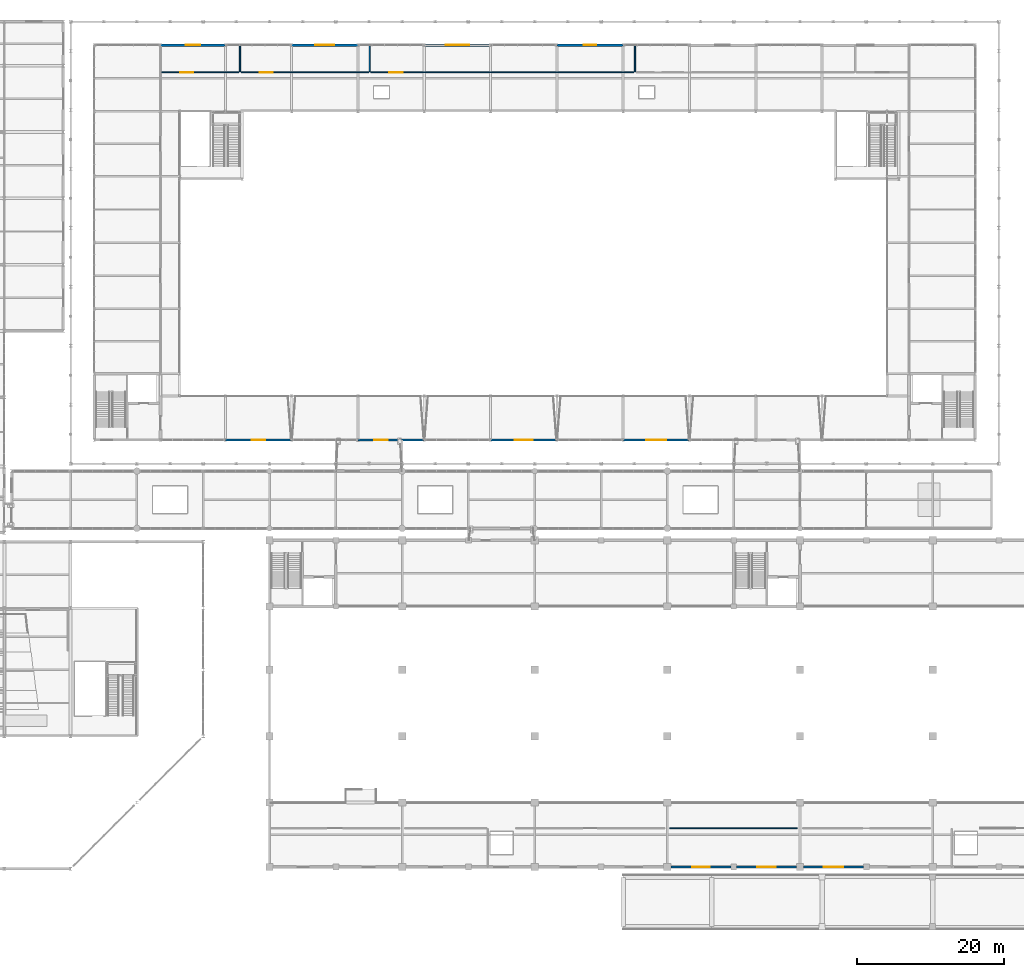
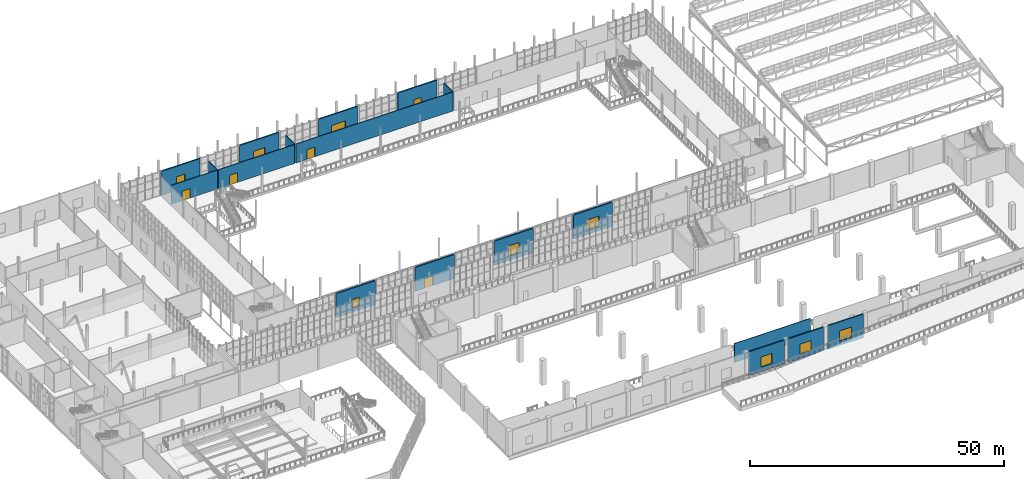
# One storey, part 125 of 159: 18 walls, 10 windows, 4 doors, 14 openings.
"""IFC4 building model written with IfcOpenShell, lengths in metres."""

from ifc_helpers import new_model, si_unit, direction, frame, frame_2d, origin, place, context, subcontext, project, spatial, rectangle, extrude, material, layer, layer_set, type_object, element, fill, save


model = new_model("IFC4")

# Units and contexts
model_context = context("Model", 3, precision=1e-05, world=origin(), true_north=direction((0.0, 1.0)))
body_context = subcontext(model_context, "Body", "Model", "MODEL_VIEW")
ifc_project = project(units=[si_unit("LENGTHUNIT", "METRE"), si_unit("AREAUNIT", "SQUARE_METRE"), si_unit("VOLUMEUNIT", "CUBIC_METRE"), si_unit("PLANEANGLEUNIT", "RADIAN"), si_unit("MASSUNIT", "GRAM", prefix="KILO")], contexts=[model_context])

# Site, building, storey
site_placement = place(None, origin())
site = spatial("IfcSite", under=ifc_project, at=site_placement, CompositionType="ELEMENT")
building_placement = place(site_placement, origin())
building = spatial("IfcBuilding", under=site, at=building_placement, Name="Cazmaro Siding Exhibition Halls", CompositionType="ELEMENT")
storey_placement = place(building_placement, frame((0.0, 0.0, 6.0)))
storey = spatial("IfcBuildingStorey", under=building, at=storey_placement, Name="L01", CompositionType="ELEMENT", Elevation=6.0)

# Wall, opening, window
ifc_material_1 = material(Name="Concrete f'c 45 MPa", Category="concrete")
ifc_layer_1 = layer(ifc_material_1, 0.320068359375)
ifc_layer_set_1 = layer_set([ifc_layer_1], Name="Concrete f'c 45 MPa")
wall_type_1 = type_object("IfcWallType", Name="EW-01", PredefinedType="STANDARD", material=ifc_layer_set_1)
wall_1_placement = place(storey_placement, frame((57.2119140625, 120.800048828125, 0.0), z_axis=(0.0, 0.0, 1.0), x_axis=(1.0, 0.0, 0.0)))
wall_1 = element("IfcWall", 1, at=wall_1_placement, inside=storey, type_object=wall_type_1, Name="Hall A North Gallery Wall EW-01 WL-E0005", PredefinedType="STANDARD", context=body_context, shape_type="SweptSolid", body=[
    extrude(rectangle(XDim=8.776123046875, YDim=0.320068359375, at=frame_2d((4.38818359375, 0.0))), origin(), (0.0, 0.0, 1.0), 5.780029296875),
])
opening_1_placement = place(wall_1_placement, frame((3.387939453125, 0.0, 1.10009765625)))
opening_1 = element("IfcOpeningElement", 2, at=opening_1_placement, cuts=wall_1, Name="Opening W-004", PredefinedType="OPENING", context=body_context, shape_type="SweptSolid", body=[
    extrude(rectangle(XDim=2.0, YDim=2.14990234375, at=frame_2d((1.0, 1.074951171875))), frame((0.0, 0.169921875, 0.0), z_axis=(0.0, -1.0, 0.0), x_axis=(1.0, 0.0, 0.0)), (0.0, 0.0, 1.0), 0.340087890625),
])
ifc_material_2 = material(Name="Thermally Broken Aluminum Low-E Window Unit", Category="aluminium")
window_type_1 = type_object("IfcWindowType", Name="WT-14", PartitioningType="SINGLE_PANEL", PredefinedType="WINDOW", material=ifc_material_2)
window_1_placement = place(opening_1_placement, origin())
window_1 = element("IfcWindow", 3, at=window_1_placement, inside=storey, type_object=window_type_1, Name="Window W-004 (WT-14)", OverallHeight=2.14990234375, OverallWidth=2.0, PartitioningType="SINGLE_PANEL", PredefinedType="WINDOW", context=body_context, shape_type="SweptSolid", body=[
    extrude(rectangle(XDim=2.0, YDim=2.14990234375, at=frame_2d((1.0, 1.074951171875))), frame((0.0, 0.030029296875, 0.0), z_axis=(0.0, -1.0, 0.0), x_axis=(1.0, 0.0, 0.0)), (0.0, 0.0, 1.0), 0.06005859375),
])
fill(opening_1, window_1)

wall_2_placement = place(storey_placement, frame((74.988037109375, 67.199951171875, 0.0), z_axis=(0.0, 0.0, 1.0), x_axis=(-1.0, 0.0, 0.0)))
wall_2 = element("IfcWall", 4, at=wall_2_placement, inside=storey, type_object=wall_type_1, Name="Hall A South Upper Wall EW-01 WL-E0007", PredefinedType="STANDARD", context=body_context, shape_type="SweptSolid", body=[
    extrude(rectangle(XDim=8.97607421875, YDim=0.320068359375, at=frame_2d((4.488037109375, 0.0))), origin(), (0.0, 0.0, 1.0), 5.780029296875),
])
opening_2_placement = place(wall_2_placement, frame((3.587890625, 0.0, 1.10009765625)))
opening_2 = element("IfcOpeningElement", 5, at=opening_2_placement, cuts=wall_2, Name="Opening W-005", PredefinedType="OPENING", context=body_context, shape_type="SweptSolid", body=[
    extrude(rectangle(XDim=1.800048828125, YDim=1.949951171875, at=frame_2d((0.89990234375, 0.97509765625))), frame((0.0, 0.169921875, 0.0), z_axis=(0.0, -1.0, 0.0), x_axis=(1.0, 0.0, 0.0)), (0.0, 0.0, 1.0), 0.340087890625),
])
ifc_material_3 = material(Name="Thermally Broken Aluminum Low-E Window Unit", Category="aluminium")
window_type_2 = type_object("IfcWindowType", Name="WT-03", PartitioningType="SINGLE_PANEL", PredefinedType="WINDOW", material=ifc_material_3)
window_2_placement = place(opening_2_placement, origin())
window_2 = element("IfcWindow", 6, at=window_2_placement, inside=storey, type_object=window_type_2, Name="Window W-005 (WT-03)", OverallHeight=1.949951171875, OverallWidth=1.800048828125, PartitioningType="SINGLE_PANEL", PredefinedType="WINDOW", context=body_context, shape_type="SweptSolid", body=[
    extrude(rectangle(XDim=1.800048828125, YDim=1.949951171875, at=frame_2d((0.89990234375, 0.97509765625))), frame((0.0, 0.030029296875, 0.0), z_axis=(0.0, -1.0, 0.0), x_axis=(1.0, 0.0, 0.0)), (0.0, 0.0, 1.0), 0.06005859375),
])
fill(opening_2, window_2)

wall_3_placement = place(storey_placement, frame((75.011962890625, 120.800048828125, 0.0), z_axis=(0.0, 0.0, 1.0), x_axis=(1.0, 0.0, 0.0)))
wall_3 = element("IfcWall", 7, at=wall_3_placement, inside=storey, type_object=wall_type_1, Name="Hall A North Gallery Wall EW-01 WL-E0009", PredefinedType="STANDARD", context=body_context, shape_type="SweptSolid", body=[
    extrude(rectangle(XDim=8.97607421875, YDim=0.320068359375, at=frame_2d((4.488037109375, 0.0))), origin(), (0.0, 0.0, 1.0), 5.780029296875),
])
opening_3_placement = place(wall_3_placement, frame((3.18798828125, 0.0, 1.10009765625)))
opening_3 = element("IfcOpeningElement", 8, at=opening_3_placement, cuts=wall_3, Name="Opening W-006", PredefinedType="OPENING", context=body_context, shape_type="SweptSolid", body=[
    extrude(rectangle(XDim=2.60009765625, YDim=2.14990234375, at=frame_2d((1.300048828125, 1.074951171875))), frame((0.0, 0.169921875, 0.0), z_axis=(0.0, -1.0, 0.0), x_axis=(1.0, 0.0, 0.0)), (0.0, 0.0, 1.0), 0.340087890625),
])
ifc_material_4 = material(Name="Thermally Broken Aluminum Low-E Window Unit", Category="aluminium")
window_type_3 = type_object("IfcWindowType", Name="WT-16", PartitioningType="SINGLE_PANEL", PredefinedType="WINDOW", material=ifc_material_4)
window_3_placement = place(opening_3_placement, origin())
window_3 = element("IfcWindow", 9, at=window_3_placement, inside=storey, type_object=window_type_3, Name="Window W-006 (WT-16)", OverallHeight=2.14990234375, OverallWidth=2.60009765625, PartitioningType="SINGLE_PANEL", PredefinedType="WINDOW", context=body_context, shape_type="SweptSolid", body=[
    extrude(rectangle(XDim=2.60009765625, YDim=2.14990234375, at=frame_2d((1.300048828125, 1.074951171875))), frame((0.0, 0.030029296875, 0.0), z_axis=(0.0, -1.0, 0.0), x_axis=(1.0, 0.0, 0.0)), (0.0, 0.0, 1.0), 0.06005859375),
])
fill(opening_3, window_3)

# Wall, opening, door
wall_4_placement = place(storey_placement, frame((92.988037109375, 67.199951171875, 0.0), z_axis=(0.0, 0.0, 1.0), x_axis=(-1.0, 0.0, 0.0)))
wall_4 = element("IfcWall", 10, at=wall_4_placement, inside=storey, type_object=wall_type_1, Name="Hall A Bridge Portal Wall L01 EW-01 WL-E0010", PredefinedType="STANDARD", context=body_context, shape_type="SweptSolid", body=[
    extrude(rectangle(XDim=8.97607421875, YDim=0.320068359375, at=frame_2d((4.488037109375, 0.0))), origin(), (0.0, 0.0, 1.0), 5.780029296875),
])
opening_4_placement = place(wall_4_placement, frame((4.93798828125, 0.0, 0.0)))
opening_4 = element("IfcOpeningElement", 11, at=opening_4_placement, cuts=wall_4, Name="Opening D-E004", PredefinedType="OPENING", context=body_context, shape_type="SweptSolid", body=[
    extrude(rectangle(XDim=1.85009765625, YDim=2.35009765625, at=frame_2d((0.925048828125, 1.175048828125))), frame((0.0, 0.169921875, 0.0), z_axis=(0.0, -1.0, 0.0), x_axis=(1.0, 0.0, 0.0)), (0.0, 0.0, 1.0), 0.340087890625),
])
ifc_material_5 = material(Name="Anodized Bronze Glazed Entrance Door", Category="aluminium")
door_type_1 = type_object("IfcDoorType", Name="ED-03", OperationType="DOUBLE_DOOR_SINGLE_SWING", PredefinedType="DOOR", material=ifc_material_5)
door_1_placement = place(opening_4_placement, origin())
door_1 = element("IfcDoor", 12, at=door_1_placement, inside=storey, type_object=door_type_1, Name="Exterior door D-E004 (ED-03)", OperationType="DOUBLE_DOOR_SINGLE_SWING", OverallHeight=2.35009765625, OverallWidth=1.85009765625, PredefinedType="DOOR", context=body_context, shape_type="SweptSolid", body=[
    extrude(rectangle(XDim=1.85009765625, YDim=2.35009765625, at=frame_2d((0.925048828125, 1.175048828125))), frame((0.0, 0.02490234375, 0.0), z_axis=(0.0, -1.0, 0.0), x_axis=(1.0, 0.0, 0.0)), (0.0, 0.0, 1.0), 0.050048828125),
])
fill(opening_4, door_1)

# Wall, opening, window
wall_5_placement = place(storey_placement, frame((93.011962890625, 120.800048828125, 0.0), z_axis=(0.0, 0.0, 1.0), x_axis=(1.0, 0.0, 0.0)))
wall_5 = element("IfcWall", 13, at=wall_5_placement, inside=storey, type_object=wall_type_1, Name="Hall A North Gallery Wall EW-01 WL-E0013", PredefinedType="STANDARD", context=body_context, shape_type="SweptSolid", body=[
    extrude(rectangle(XDim=8.97607421875, YDim=0.320068359375, at=frame_2d((4.488037109375, 0.0))), origin(), (0.0, 0.0, 1.0), 5.780029296875),
])
opening_5_placement = place(wall_5_placement, frame((2.887939453125, 0.0, 1.10009765625)))
opening_5 = element("IfcOpeningElement", 14, at=opening_5_placement, cuts=wall_5, Name="Opening W-008", PredefinedType="OPENING", context=body_context, shape_type="SweptSolid", body=[
    extrude(rectangle(XDim=3.199951171875, YDim=2.14990234375, at=frame_2d((1.60009765625, 1.074951171875))), frame((0.0, 0.169921875, 0.0), z_axis=(0.0, -1.0, 0.0), x_axis=(1.0, 0.0, 0.0)), (0.0, 0.0, 1.0), 0.340087890625),
])
ifc_material_6 = material(Name="Thermally Broken Aluminum Low-E Window Unit", Category="aluminium")
window_type_4 = type_object("IfcWindowType", Name="WT-18", PartitioningType="SINGLE_PANEL", PredefinedType="WINDOW", material=ifc_material_6)
window_4_placement = place(opening_5_placement, origin())
window_4 = element("IfcWindow", 15, at=window_4_placement, inside=storey, type_object=window_type_4, Name="Window W-008 (WT-18)", OverallHeight=2.14990234375, OverallWidth=3.199951171875, PartitioningType="SINGLE_PANEL", PredefinedType="WINDOW", context=body_context, shape_type="SweptSolid", body=[
    extrude(rectangle(XDim=3.199951171875, YDim=2.14990234375, at=frame_2d((1.60009765625, 1.074951171875))), frame((0.0, 0.030029296875, 0.0), z_axis=(0.0, -1.0, 0.0), x_axis=(1.0, 0.0, 0.0)), (0.0, 0.0, 1.0), 0.06005859375),
])
fill(opening_5, window_4)

wall_6_placement = place(storey_placement, frame((110.988037109375, 67.199951171875, 0.0), z_axis=(0.0, 0.0, 1.0), x_axis=(-1.0, 0.0, 0.0)))
wall_6 = element("IfcWall", 16, at=wall_6_placement, inside=storey, type_object=wall_type_1, Name="Hall A South Upper Wall EW-01 WL-E0015", PredefinedType="STANDARD", context=body_context, shape_type="SweptSolid", body=[
    extrude(rectangle(XDim=8.97607421875, YDim=0.320068359375, at=frame_2d((4.488037109375, 0.0))), origin(), (0.0, 0.0, 1.0), 5.780029296875),
])
opening_6_placement = place(wall_6_placement, frame((3.2880859375, 0.0, 1.10009765625)))
opening_6 = element("IfcOpeningElement", 17, at=opening_6_placement, cuts=wall_6, Name="Opening W-009", PredefinedType="OPENING", context=body_context, shape_type="SweptSolid", body=[
    extrude(rectangle(XDim=2.39990234375, YDim=2.39990234375, at=frame_2d((1.199951171875, 1.199951171875))), frame((0.0, 0.169921875, 0.0), z_axis=(0.0, -1.0, 0.0), x_axis=(1.0, 0.0, 0.0)), (0.0, 0.0, 1.0), 0.340087890625),
])
ifc_material_7 = material(Name="Thermally Broken Aluminum Low-E Window Unit", Category="aluminium")
window_type_5 = type_object("IfcWindowType", Name="WT-07", PartitioningType="SINGLE_PANEL", PredefinedType="WINDOW", material=ifc_material_7)
window_5_placement = place(opening_6_placement, origin())
window_5 = element("IfcWindow", 18, at=window_5_placement, inside=storey, type_object=window_type_5, Name="Window W-009 (WT-07)", OverallHeight=2.39990234375, OverallWidth=2.39990234375, PartitioningType="SINGLE_PANEL", PredefinedType="WINDOW", context=body_context, shape_type="SweptSolid", body=[
    extrude(rectangle(XDim=2.39990234375, YDim=2.39990234375, at=frame_2d((1.199951171875, 1.199951171875))), frame((0.0, 0.030029296875, 0.0), z_axis=(0.0, -1.0, 0.0), x_axis=(1.0, 0.0, 0.0)), (0.0, 0.0, 1.0), 0.06005859375),
])
fill(opening_6, window_5)

wall_7_placement = place(storey_placement, frame((111.011962890625, 120.800048828125, 0.0), z_axis=(0.0, 0.0, 1.0), x_axis=(1.0, 0.0, 0.0)))
wall_7 = element("IfcWall", 19, at=wall_7_placement, inside=storey, type_object=wall_type_1, Name="Hall A North Gallery Wall EW-01 WL-E0017", PredefinedType="STANDARD", context=body_context, shape_type="SweptSolid", body=[
    extrude(rectangle(XDim=8.97607421875, YDim=0.320068359375, at=frame_2d((4.488037109375, 0.0))), origin(), (0.0, 0.0, 1.0), 5.780029296875),
])
opening_7_placement = place(wall_7_placement, frame((3.6630859375, 0.0, 1.10009765625)))
opening_7 = element("IfcOpeningElement", 20, at=opening_7_placement, cuts=wall_7, Name="Opening W-010", PredefinedType="OPENING", context=body_context, shape_type="SweptSolid", body=[
    extrude(rectangle(XDim=1.64990234375, YDim=1.800048828125, at=frame_2d((0.824951171875, 0.89990234375))), frame((0.0, 0.169921875, 0.0), z_axis=(0.0, -1.0, 0.0), x_axis=(1.0, 0.0, 0.0)), (0.0, 0.0, 1.0), 0.340087890625),
])
ifc_material_8 = material(Name="Thermally Broken Aluminum Low-E Window Unit", Category="aluminium")
window_type_6 = type_object("IfcWindowType", Name="WT-02", PartitioningType="SINGLE_PANEL", PredefinedType="WINDOW", material=ifc_material_8)
window_6_placement = place(opening_7_placement, origin())
window_6 = element("IfcWindow", 21, at=window_6_placement, inside=storey, type_object=window_type_6, Name="Window W-010 (WT-02)", OverallHeight=1.800048828125, OverallWidth=1.64990234375, PartitioningType="SINGLE_PANEL", PredefinedType="WINDOW", context=body_context, shape_type="SweptSolid", body=[
    extrude(rectangle(XDim=1.64990234375, YDim=1.800048828125, at=frame_2d((0.824951171875, 0.89990234375))), frame((0.0, 0.030029296875, 0.0), z_axis=(0.0, -1.0, 0.0), x_axis=(1.0, 0.0, 0.0)), (0.0, 0.0, 1.0), 0.06005859375),
])
fill(opening_7, window_6)

wall_8_placement = place(storey_placement, frame((128.988037109375, 67.199951171875, 0.0), z_axis=(0.0, 0.0, 1.0), x_axis=(-1.0, 0.0, 0.0)))
wall_8 = element("IfcWall", 22, at=wall_8_placement, inside=storey, type_object=wall_type_1, Name="Hall A South Upper Wall EW-01 WL-E0019", PredefinedType="STANDARD", context=body_context, shape_type="SweptSolid", body=[
    extrude(rectangle(XDim=8.97607421875, YDim=0.320068359375, at=frame_2d((4.488037109375, 0.0))), origin(), (0.0, 0.0, 1.0), 5.780029296875),
])
opening_8_placement = place(wall_8_placement, frame((3.137939453125, 0.0, 1.10009765625)))
opening_8 = element("IfcOpeningElement", 23, at=opening_8_placement, cuts=wall_8, Name="Opening W-011", PredefinedType="OPENING", context=body_context, shape_type="SweptSolid", body=[
    extrude(rectangle(XDim=2.699951171875, YDim=2.39990234375, at=frame_2d((1.35009765625, 1.199951171875))), frame((0.0, 0.169921875, 0.0), z_axis=(0.0, -1.0, 0.0), x_axis=(1.0, 0.0, 0.0)), (0.0, 0.0, 1.0), 0.340087890625),
])
ifc_material_9 = material(Name="Thermally Broken Aluminum Low-E Window Unit", Category="aluminium")
window_type_7 = type_object("IfcWindowType", Name="WT-09", PartitioningType="SINGLE_PANEL", PredefinedType="WINDOW", material=ifc_material_9)
window_7_placement = place(opening_8_placement, origin())
window_7 = element("IfcWindow", 24, at=window_7_placement, inside=storey, type_object=window_type_7, Name="Window W-011 (WT-09)", OverallHeight=2.39990234375, OverallWidth=2.699951171875, PartitioningType="SINGLE_PANEL", PredefinedType="WINDOW", context=body_context, shape_type="SweptSolid", body=[
    extrude(rectangle(XDim=2.699951171875, YDim=2.39990234375, at=frame_2d((1.35009765625, 1.199951171875))), frame((0.0, 0.030029296875, 0.0), z_axis=(0.0, -1.0, 0.0), x_axis=(1.0, 0.0, 0.0)), (0.0, 0.0, 1.0), 0.06005859375),
])
fill(opening_8, window_7)

ifc_material_10 = material(Name="Precast concrete f'c 40 MPa", Category="concrete")
ifc_layer_2 = layer(ifc_material_10, 0.280029296875)
ifc_layer_set_2 = layer_set([ifc_layer_2], Name="Precast concrete f'c 40 MPa")
wall_type_2 = type_object("IfcWallType", Name="EW-02", PredefinedType="STANDARD", material=ifc_layer_set_2)
wall_9_placement = place(storey_placement, frame((134.60791015625, 9.25, 0.0), z_axis=(0.0, 0.0, 1.0), x_axis=(-1.0, 0.0, 0.0)))
wall_9 = element("IfcWall", 25, at=wall_9_placement, inside=storey, type_object=wall_type_2, Name="Hall B1 South Mezzanine Wall EW-02 WL-E0073", PredefinedType="STANDARD", context=body_context, shape_type="SweptSolid", body=[
    extrude(rectangle(XDim=8.115966796875, YDim=0.280029296875, at=frame_2d((4.05810546875, 0.0))), origin(), (0.0, 0.0, 1.0), 5.699951171875),
])
opening_9_placement = place(wall_9_placement, frame((2.85791015625, 0.0, 1.10009765625)))
opening_9 = element("IfcOpeningElement", 26, at=opening_9_placement, cuts=wall_9, Name="Opening W-033", PredefinedType="OPENING", context=body_context, shape_type="SweptSolid", body=[
    extrude(rectangle(XDim=2.39990234375, YDim=2.39990234375, at=frame_2d((1.199951171875, 1.199951171875))), frame((0.0, 0.14990234375, 0.0), z_axis=(0.0, -1.0, 0.0), x_axis=(1.0, 0.0, 0.0)), (0.0, 0.0, 1.0), 0.300048828125),
])
window_8_placement = place(opening_9_placement, origin())
window_8 = element("IfcWindow", 27, at=window_8_placement, inside=storey, type_object=window_type_5, Name="Window W-033 (WT-07)", OverallHeight=2.39990234375, OverallWidth=2.39990234375, PartitioningType="SINGLE_PANEL", PredefinedType="WINDOW", context=body_context, shape_type="SweptSolid", body=[
    extrude(rectangle(XDim=2.39990234375, YDim=2.39990234375, at=frame_2d((1.199951171875, 1.199951171875))), frame((0.0, 0.030029296875, 0.0), z_axis=(0.0, -1.0, 0.0), x_axis=(1.0, 0.0, 0.0)), (0.0, 0.0, 1.0), 0.06005859375),
])
fill(opening_9, window_8)

wall_10_placement = place(storey_placement, frame((143.508056640625, 9.25, 0.0), z_axis=(0.0, 0.0, 1.0), x_axis=(-1.0, 0.0, 0.0)))
wall_10 = element("IfcWall", 28, at=wall_10_placement, inside=storey, type_object=wall_type_2, Name="Hall B1 South Mezzanine Wall EW-02 WL-E0079", PredefinedType="STANDARD", context=body_context, shape_type="SweptSolid", body=[
    extrude(rectangle(XDim=8.115966796875, YDim=0.280029296875, at=frame_2d((4.05810546875, 0.0))), origin(), (0.0, 0.0, 1.0), 5.699951171875),
])
opening_10_placement = place(wall_10_placement, frame((2.782958984375, 0.0, 1.10009765625)))
opening_10 = element("IfcOpeningElement", 29, at=opening_10_placement, cuts=wall_10, Name="Opening W-036", PredefinedType="OPENING", context=body_context, shape_type="SweptSolid", body=[
    extrude(rectangle(XDim=2.550048828125, YDim=2.39990234375, at=frame_2d((1.27490234375, 1.199951171875))), frame((0.0, 0.14990234375, 0.0), z_axis=(0.0, -1.0, 0.0), x_axis=(1.0, 0.0, 0.0)), (0.0, 0.0, 1.0), 0.300048828125),
])
ifc_material_11 = material(Name="Thermally Broken Aluminum Low-E Window Unit", Category="aluminium")
window_type_8 = type_object("IfcWindowType", Name="WT-08", PartitioningType="SINGLE_PANEL", PredefinedType="WINDOW", material=ifc_material_11)
window_9_placement = place(opening_10_placement, origin())
window_9 = element("IfcWindow", 30, at=window_9_placement, inside=storey, type_object=window_type_8, Name="Window W-036 (WT-08)", OverallHeight=2.39990234375, OverallWidth=2.550048828125, PartitioningType="SINGLE_PANEL", PredefinedType="WINDOW", context=body_context, shape_type="SweptSolid", body=[
    extrude(rectangle(XDim=2.550048828125, YDim=2.39990234375, at=frame_2d((1.27490234375, 1.199951171875))), frame((0.0, 0.030029296875, 0.0), z_axis=(0.0, -1.0, 0.0), x_axis=(1.0, 0.0, 0.0)), (0.0, 0.0, 1.0), 0.06005859375),
])
fill(opening_10, window_9)

wall_11_placement = place(storey_placement, frame((152.60791015625, 9.25, 0.0), z_axis=(0.0, 0.0, 1.0), x_axis=(-1.0, 0.0, 0.0)))
wall_11 = element("IfcWall", 31, at=wall_11_placement, inside=storey, type_object=wall_type_2, Name="Hall B1 South Mezzanine Wall EW-02 WL-E0085", PredefinedType="STANDARD", context=body_context, shape_type="SweptSolid", body=[
    extrude(rectangle(XDim=8.115966796875, YDim=0.280029296875, at=frame_2d((4.05810546875, 0.0))), origin(), (0.0, 0.0, 1.0), 5.699951171875),
])
opening_11_placement = place(wall_11_placement, frame((2.7080078125, 0.0, 1.10009765625)))
opening_11 = element("IfcOpeningElement", 32, at=opening_11_placement, cuts=wall_11, Name="Opening W-038", PredefinedType="OPENING", context=body_context, shape_type="SweptSolid", body=[
    extrude(rectangle(XDim=2.699951171875, YDim=2.39990234375, at=frame_2d((1.35009765625, 1.199951171875))), frame((0.0, 0.14990234375, 0.0), z_axis=(0.0, -1.0, 0.0), x_axis=(1.0, 0.0, 0.0)), (0.0, 0.0, 1.0), 0.300048828125),
])
window_10_placement = place(opening_11_placement, origin())
window_10 = element("IfcWindow", 33, at=window_10_placement, inside=storey, type_object=window_type_7, Name="Window W-038 (WT-09)", OverallHeight=2.39990234375, OverallWidth=2.699951171875, PartitioningType="SINGLE_PANEL", PredefinedType="WINDOW", context=body_context, shape_type="SweptSolid", body=[
    extrude(rectangle(XDim=2.699951171875, YDim=2.39990234375, at=frame_2d((1.35009765625, 1.199951171875))), frame((0.0, 0.030029296875, 0.0), z_axis=(0.0, -1.0, 0.0), x_axis=(1.0, 0.0, 0.0)), (0.0, 0.0, 1.0), 0.06005859375),
])
fill(opening_11, window_10)

# Wall, opening, door
ifc_material_12 = material(Name="Fire-Rated Gypsum Board on Cold-Formed Steel Studs", Category="steel")
ifc_layer_3 = layer(ifc_material_12, 0.14501953125)
ifc_layer_set_3 = layer_set([ifc_layer_3], Name="Fire-Rated Gypsum Board on Cold-Formed Steel Studs")
wall_type_3 = type_object("IfcWallType", Name="PW-01", PredefinedType="PARTITIONING", material=ifc_layer_set_3)
wall_12_placement = place(storey_placement, frame((57.35009765625, 117.10009765625, 0.0), z_axis=(0.0, 0.0, 1.0), x_axis=(1.0, 0.0, 0.0)))
wall_12 = element("IfcWall", 34, at=wall_12_placement, inside=storey, type_object=wall_type_3, Name="Hall A North Gallery Corridor Wall L01 PW-01 WL-I0285", PredefinedType="PARTITIONING", context=body_context, shape_type="SweptSolid", body=[
    extrude(rectangle(XDim=10.5, YDim=0.14501953125, at=frame_2d((5.25, 0.0))), origin(), (0.0, 0.0, 1.0), 4.550048828125),
])
opening_12_placement = place(wall_12_placement, frame((2.5, 0.0, 0.0)))
opening_12 = element("IfcOpeningElement", 35, at=opening_12_placement, cuts=wall_12, Name="Opening D-I135", PredefinedType="OPENING", context=body_context, shape_type="SweptSolid", body=[
    extrude(rectangle(XDim=1.800048828125, YDim=2.300048828125, at=frame_2d((0.89990234375, 1.14990234375))), frame((0.0, 0.08251953125, 0.0), z_axis=(0.0, -1.0, 0.0), x_axis=(1.0, 0.0, 0.0)), (0.0, 0.0, 1.0), 0.1650390625),
])
ifc_material_13 = material(Name="Fire-Rated Painted Hollow Metal Door", Category="steel")
door_type_2 = type_object("IfcDoorType", Name="ID-02", OperationType="DOUBLE_DOOR_SINGLE_SWING", PredefinedType="DOOR", material=ifc_material_13)
door_2_placement = place(opening_12_placement, origin())
door_2 = element("IfcDoor", 36, at=door_2_placement, inside=storey, type_object=door_type_2, Name="Interior door D-I135 (ID-02)", OperationType="DOUBLE_DOOR_SINGLE_SWING", OverallHeight=2.300048828125, OverallWidth=1.800048828125, PredefinedType="DOOR", context=body_context, shape_type="SweptSolid", body=[
    extrude(rectangle(XDim=1.800048828125, YDim=2.300048828125, at=frame_2d((0.89990234375, 1.14990234375))), frame((0.0, 0.02490234375, 0.0), z_axis=(0.0, -1.0, 0.0), x_axis=(1.0, 0.0, 0.0)), (0.0, 0.0, 1.0), 0.050048828125),
])
fill(opening_12, door_2)

wall_13_placement = place(storey_placement, frame((68.14990234375, 117.10009765625, 0.0), z_axis=(0.0, 0.0, 1.0), x_axis=(1.0, 0.0, 0.0)))
wall_13 = element("IfcWall", 37, at=wall_13_placement, inside=storey, type_object=wall_type_3, Name="Hall A North Gallery Corridor Wall L01 PW-01 WL-I0286", PredefinedType="PARTITIONING", context=body_context, shape_type="SweptSolid", body=[
    extrude(rectangle(XDim=17.300048828125, YDim=0.14501953125, at=frame_2d((8.64990234375, 0.0))), origin(), (0.0, 0.0, 1.0), 4.550048828125),
])
opening_13_placement = place(wall_13_placement, frame((2.5, 0.0, 0.0)))
opening_13 = element("IfcOpeningElement", 38, at=opening_13_placement, cuts=wall_13, Name="Opening D-I136", PredefinedType="OPENING", context=body_context, shape_type="SweptSolid", body=[
    extrude(rectangle(XDim=1.800048828125, YDim=2.300048828125, at=frame_2d((0.89990234375, 1.14990234375))), frame((0.0, 0.08251953125, 0.0), z_axis=(0.0, -1.0, 0.0), x_axis=(1.0, 0.0, 0.0)), (0.0, 0.0, 1.0), 0.1650390625),
])
door_3_placement = place(opening_13_placement, origin())
door_3 = element("IfcDoor", 39, at=door_3_placement, inside=storey, type_object=door_type_2, Name="Interior door D-I136 (ID-02)", OperationType="DOUBLE_DOOR_SINGLE_SWING", OverallHeight=2.300048828125, OverallWidth=1.800048828125, PredefinedType="DOOR", context=body_context, shape_type="SweptSolid", body=[
    extrude(rectangle(XDim=1.800048828125, YDim=2.300048828125, at=frame_2d((0.89990234375, 1.14990234375))), frame((0.0, 0.02490234375, 0.0), z_axis=(0.0, -1.0, 0.0), x_axis=(1.0, 0.0, 0.0)), (0.0, 0.0, 1.0), 0.050048828125),
])
fill(opening_13, door_3)

wall_14_placement = place(storey_placement, frame((85.75, 117.10009765625, 0.0), z_axis=(0.0, 0.0, 1.0), x_axis=(1.0, 0.0, 0.0)))
wall_14 = element("IfcWall", 40, at=wall_14_placement, inside=storey, type_object=wall_type_3, Name="Hall A North Gallery Corridor Wall L01 PW-01 WL-I0287", PredefinedType="PARTITIONING", context=body_context, shape_type="SweptSolid", body=[
    extrude(rectangle(XDim=35.699951171875, YDim=0.14501953125, at=frame_2d((17.85009765625, 0.0))), origin(), (0.0, 0.0, 1.0), 4.550048828125),
])
opening_14_placement = place(wall_14_placement, frame((2.5, 0.0, 0.0)))
opening_14 = element("IfcOpeningElement", 41, at=opening_14_placement, cuts=wall_14, Name="Opening D-I137", PredefinedType="OPENING", context=body_context, shape_type="SweptSolid", body=[
    extrude(rectangle(XDim=1.800048828125, YDim=2.300048828125, at=frame_2d((0.89990234375, 1.14990234375))), frame((0.0, 0.08251953125, 0.0), z_axis=(0.0, -1.0, 0.0), x_axis=(1.0, 0.0, 0.0)), (0.0, 0.0, 1.0), 0.1650390625),
])
door_4_placement = place(opening_14_placement, origin())
door_4 = element("IfcDoor", 42, at=door_4_placement, inside=storey, type_object=door_type_2, Name="Interior door D-I137 (ID-02)", OperationType="DOUBLE_DOOR_SINGLE_SWING", OverallHeight=2.300048828125, OverallWidth=1.800048828125, PredefinedType="DOOR", context=body_context, shape_type="SweptSolid", body=[
    extrude(rectangle(XDim=1.800048828125, YDim=2.300048828125, at=frame_2d((0.89990234375, 1.14990234375))), frame((0.0, 0.02490234375, 0.0), z_axis=(0.0, -1.0, 0.0), x_axis=(1.0, 0.0, 0.0)), (0.0, 0.0, 1.0), 0.050048828125),
])
fill(opening_14, door_4)

# Walls
wall_15_placement = place(storey_placement, frame((126.35009765625, 14.5, 0.0), z_axis=(0.0, 0.0, 1.0), x_axis=(1.0, 0.0, 0.0)))
element("IfcWall", 43, at=wall_15_placement, inside=storey, type_object=wall_type_3, Name="Hall B1 South Mezzanine Corridor Wall L01 PW-01 WL-I0326", PredefinedType="PARTITIONING", context=body_context, shape_type="SweptSolid", body=[
    extrude(rectangle(XDim=17.2998046875, YDim=0.14501953125, at=frame_2d((8.64990234375, 0.0))), origin(), (0.0, 0.0, 1.0), 4.550048828125),
])
ifc_material_14 = material(Name="Moisture-Resistant Gypsum Board on Acoustic Steel Studs", Category="steel")
ifc_layer_4 = layer(ifc_material_14, 0.1650390625)
ifc_layer_set_4 = layer_set([ifc_layer_4], Name="Moisture-Resistant Gypsum Board on Acoustic Steel Studs")
wall_type_4 = type_object("IfcWallType", Name="PW-02", PredefinedType="PARTITIONING", material=ifc_layer_set_4)
for number, where, z_axis, x_axis, name in (
    (44, (68.0, 117.199951171875, 0.0), (0.0, 0.0, 1.0), (0.0, 1.0, 0.0), "Hall A North Room Divider L01 PW-02 WL-I0290"),
    (45, (85.60009765625, 117.199951171875, 0.0), (0.0, 0.0, 1.0), (0.0, 1.0, 0.0), "Hall A North Room Divider L01 PW-02 WL-I0291"),
    (46, (121.60009765625, 117.199951171875, 0.0), (0.0, 0.0, 1.0), (0.0, 1.0, 0.0), "Hall A North Room Divider L01 PW-02 WL-I0292"),
):
    element("IfcWall", number, at=place(storey_placement, frame(where, z_axis=z_axis, x_axis=x_axis)), inside=storey, type_object=wall_type_4, Name=name, PredefinedType="PARTITIONING", context=body_context, shape_type="SweptSolid", body=[
        extrude(rectangle(XDim=3.52001953125, YDim=0.1650390625, at=frame_2d((1.760009765625, 0.0))), origin(), (0.0, 0.0, 1.0), 4.550048828125),
    ])

save(model, "model.ifc")
